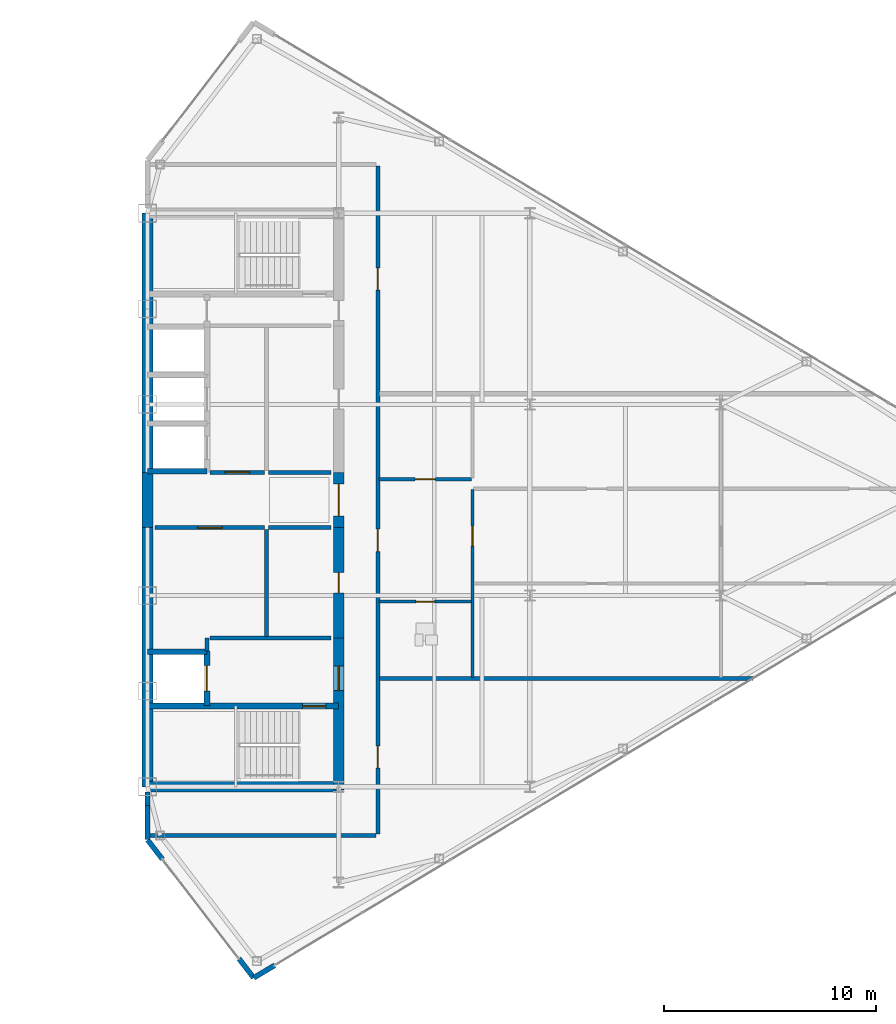
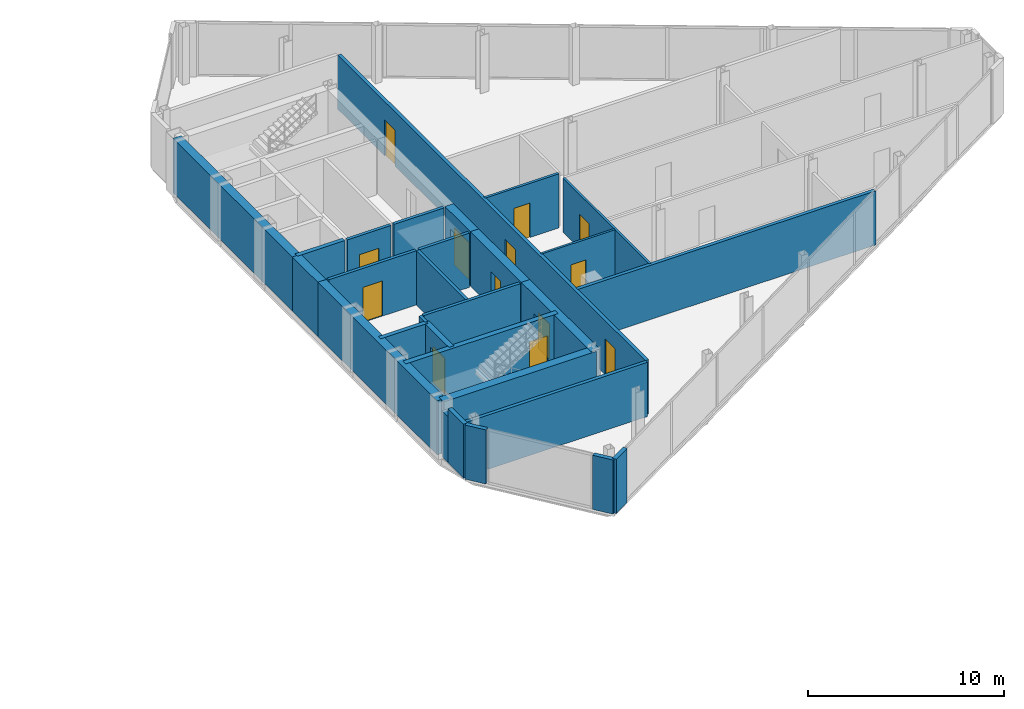
# One storey, part 21 of 25: 29 walls, 13 doors, 13 openings.
"""IFC4 building model written with IfcOpenShell, lengths in metres."""

from ifc_helpers import new_model, si_unit, direction, frame, frame_2d, origin, place, context, subcontext, project, spatial, rectangle, extrude, source, transform, mapped, material, layer, layer_set, type_object, type_shapes, element, fill, save


model = new_model("IFC4")

# Units and contexts
model_context = context("Model", 3, precision=1e-05, world=origin(), true_north=direction((0.0, 1.0)))
body_context = subcontext(model_context, "Body", "Model", "MODEL_VIEW")
ifc_project = project(units=[si_unit("LENGTHUNIT", "METRE"), si_unit("AREAUNIT", "SQUARE_METRE"), si_unit("VOLUMEUNIT", "CUBIC_METRE"), si_unit("PLANEANGLEUNIT", "RADIAN"), si_unit("MASSUNIT", "GRAM", prefix="KILO")], contexts=[model_context])

# Site, building, storey
site_placement = place(None, origin())
site = spatial("IfcSite", under=ifc_project, at=site_placement, CompositionType="ELEMENT")
building_placement = place(site_placement, origin())
building = spatial("IfcBuilding", under=site, at=building_placement, Name="Seokmaru Belvedere", CompositionType="ELEMENT")
storey_placement = place(building_placement, frame((0.0, 0.0, 217.5)))
storey = spatial("IfcBuildingStorey", under=building, at=storey_placement, Name="L58", CompositionType="ELEMENT", Elevation=217.5)

# Wall, opening, door
ifc_material_1 = material(Name="Fire-Rated Gypsum Shaftwall")
ifc_layer_1 = layer(ifc_material_1, 0.14990234375)
ifc_layer_set_1 = layer_set([ifc_layer_1], Name="Fire-Rated Gypsum Shaftwall")
wall_type_1 = type_object("IfcWallType", Name="Apartment Fire-Acoustic Room Partition 150", PredefinedType="PARTITIONING", material=ifc_layer_set_1)
wall_1_placement = place(storey_placement, frame((38.39990234375, 0.97998046875, 0.0), z_axis=(0.0, 0.0, 1.0), x_axis=(1.0, 0.0, 0.0)))
wall_1 = element("IfcWall", 1, at=wall_1_placement, inside=storey, type_object=wall_type_1, Name="L58 Interior Partition 010", PredefinedType="PARTITIONING", context=body_context, shape_type="SweptSolid", body=[
    extrude(rectangle(XDim=4.35009765625, YDim=0.14990234375, at=frame_2d((2.175048828125, 0.0))), origin(), (0.0, 0.0, 1.0), 3.3798828125),
])
opening_1_placement = place(wall_1_placement, frame((1.699951171875, 0.0, 0.0)))
opening_1 = element("IfcOpeningElement", 2, at=opening_1_placement, cuts=wall_1, Name="Opening D05", PredefinedType="OPENING", context=body_context, shape_type="SweptSolid", body=[
    extrude(rectangle(XDim=0.949951171875, YDim=2.14990234375, at=frame_2d((0.47509765625, 1.074951171875))), frame((0.0, 0.0849609375, 0.0), z_axis=(0.0, -1.0, 0.0), x_axis=(1.0, 0.0, 0.0)), (0.0, 0.0, 1.0), 0.169921875),
])
ifc_material_2 = material(Name="Engineered White Oak Timber", Category="wood")
door_type_1 = type_object("IfcDoorType", Name="Apartment Interior Fire-Rated Oak Door 950x2150", OperationType="NOTDEFINED", PredefinedType="DOOR", material=ifc_material_2)
shared_shape_1 = source(origin(), body_context, "Body", "SweptSolid", [
    extrude(rectangle(XDim=0.949951171875, YDim=2.14990234375, at=frame_2d((0.47509765625, 1.074951171875))), frame((0.0, 0.02490234375, 0.0), z_axis=(0.0, -1.0, 0.0), x_axis=(1.0, 0.0, 0.0)), (0.0, 0.0, 1.0), 0.050048828125),
])
type_shapes(door_type_1, [shared_shape_1])
door_1_placement = place(opening_1_placement, origin())
door_1 = element("IfcDoor", 3, at=door_1_placement, inside=storey, type_object=door_type_1, Name="L58 Interior Door 020", OperationType="SINGLE_SWING_RIGHT", OverallHeight=2.14990234375, OverallWidth=0.949951171875, PredefinedType="DOOR", context=body_context, shape_type="MappedRepresentation", body=[
    mapped(shared_shape_1, transform((0.0, 0.0, 0.0), scale=1.0)),
])
fill(opening_1, door_1)

# Walls
ifc_layer_2 = layer(ifc_material_1, 0.179931640625)
ifc_layer_set_2 = layer_set([ifc_layer_2], Name="Fire-Rated Gypsum Shaftwall")
wall_type_2 = type_object("IfcWallType", Name="Core Service Fire Partition 180", PredefinedType="PARTITIONING", material=ifc_layer_set_2)
wall_2_placement = place(storey_placement, frame((30.449951171875, -6.5, 0.0), z_axis=(0.0, 0.0, 1.0), x_axis=(1.0, 0.0, 0.0)))
element("IfcWall", 4, at=wall_2_placement, inside=storey, type_object=wall_type_2, Name="L58 East Firefighting Lobby Partition", PredefinedType="PARTITIONING", context=body_context, shape_type="SweptSolid", body=[
    extrude(rectangle(XDim=5.699951171875, YDim=0.179931640625, at=frame_2d((2.85009765625, 0.0))), origin(), (0.0, 0.0, 1.0), 3.3798828125),
])
wall_3_placement = place(storey_placement, frame((30.300048828125, -7.1201171875, 0.0), z_axis=(0.0, 0.0, 1.0), x_axis=(0.0, 1.0, 0.0)))
element("IfcWall", 5, at=wall_3_placement, inside=storey, type_object=wall_type_2, Name="L58 East Firefighting Lobby East Closure Wall", PredefinedType="PARTITIONING", context=body_context, shape_type="SweptSolid", body=[
    extrude(rectangle(XDim=0.6201171875, YDim=0.179931640625, at=frame_2d((0.31005859375, 0.0))), origin(), (0.0, 0.0, 1.0), 3.3798828125),
])
wall_4_placement = place(storey_placement, frame((33.10009765625, -6.419921875, 0.0), z_axis=(0.0, 0.0, 1.0), x_axis=(0.0, 1.0, 0.0)))
element("IfcWall", 6, at=wall_4_placement, inside=storey, type_object=wall_type_2, Name="L58 East South Core Service Back Wall", PredefinedType="PARTITIONING", context=body_context, shape_type="SweptSolid", body=[
    extrude(rectangle(XDim=5.0400390625, YDim=0.179931640625, at=frame_2d((2.52001953125, 0.0))), origin(), (0.0, 0.0, 1.0), 3.3798828125),
])

# Wall, opening, door
wall_5_placement = place(storey_placement, frame((27.85009765625, -1.300048828125, 0.0), z_axis=(0.0, 0.0, 1.0), x_axis=(1.0, 0.0, 0.0)))
wall_5 = element("IfcWall", 7, at=wall_5_placement, inside=storey, type_object=wall_type_2, Name="L58 East South Lift Lobby Foyer Wall", PredefinedType="PARTITIONING", context=body_context, shape_type="SweptSolid", body=[
    extrude(rectangle(XDim=5.169921875, YDim=0.179931640625, at=frame_2d((2.5849609375, 0.0))), origin(), (0.0, 0.0, 1.0), 3.3798828125),
])
opening_2_placement = place(wall_5_placement, frame((2.010009765625, 0.0, 0.0)))
opening_2 = element("IfcOpeningElement", 8, at=opening_2_placement, cuts=wall_5, Name="Opening D02", PredefinedType="OPENING", context=body_context, shape_type="SweptSolid", body=[
    extrude(rectangle(XDim=1.14990234375, YDim=2.199951171875, at=frame_2d((0.574951171875, 1.10009765625))), frame((0.0, 0.10009765625, 0.0), z_axis=(0.0, -1.0, 0.0), x_axis=(1.0, 0.0, 0.0)), (0.0, 0.0, 1.0), 0.199951171875),
])
ifc_material_3 = material(Name="Fire-Rated Steel Leaf", Category="steel")
door_type_2 = type_object("IfcDoorType", Name="Lobby and Vestibule Fire Door 1150x2200", OperationType="NOTDEFINED", PredefinedType="DOOR", material=ifc_material_3)
shared_shape_2 = source(origin(), body_context, "Body", "SweptSolid", [
    extrude(rectangle(XDim=1.14990234375, YDim=2.199951171875, at=frame_2d((0.574951171875, 1.10009765625))), frame((0.0, 0.02490234375, 0.0), z_axis=(0.0, -1.0, 0.0), x_axis=(1.0, 0.0, 0.0)), (0.0, 0.0, 1.0), 0.050048828125),
])
type_shapes(door_type_2, [shared_shape_2])
door_2_placement = place(opening_2_placement, origin())
door_2 = element("IfcDoor", 9, at=door_2_placement, inside=storey, type_object=door_type_2, Name="L58 East South Core Foyer Door", OperationType="SINGLE_SWING_RIGHT", OverallHeight=2.199951171875, OverallWidth=1.14990234375, PredefinedType="DOOR", context=body_context, shape_type="MappedRepresentation", body=[
    mapped(shared_shape_2, transform((0.0, 0.0, 0.0), scale=1.0)),
])
fill(opening_2, door_2)

wall_6_placement = place(storey_placement, frame((30.449951171875, 1.300048828125, 0.0), z_axis=(0.0, 0.0, 1.0), x_axis=(1.0, 0.0, 0.0)))
wall_6 = element("IfcWall", 10, at=wall_6_placement, inside=storey, type_object=wall_type_2, Name="L58 East North Lift Lobby Foyer Wall", PredefinedType="PARTITIONING", context=body_context, shape_type="SweptSolid", body=[
    extrude(rectangle(XDim=2.570068359375, YDim=0.179931640625, at=frame_2d((1.28515625, 0.0))), origin(), (0.0, 0.0, 1.0), 3.3798828125),
])
opening_3_placement = place(wall_6_placement, frame((0.7099609375, 0.0, 0.0)))
opening_3 = element("IfcOpeningElement", 11, at=opening_3_placement, cuts=wall_6, Name="Opening D02", PredefinedType="OPENING", context=body_context, shape_type="SweptSolid", body=[
    extrude(rectangle(XDim=1.14990234375, YDim=2.199951171875, at=frame_2d((0.574951171875, 1.10009765625))), frame((0.0, 0.10009765625, 0.0), z_axis=(0.0, -1.0, 0.0), x_axis=(1.0, 0.0, 0.0)), (0.0, 0.0, 1.0), 0.199951171875),
])
door_3_placement = place(opening_3_placement, origin())
door_3 = element("IfcDoor", 12, at=door_3_placement, inside=storey, type_object=door_type_2, Name="L58 East North Lift Lobby Door", OperationType="SINGLE_SWING_LEFT", OverallHeight=2.199951171875, OverallWidth=1.14990234375, PredefinedType="DOOR", context=body_context, shape_type="MappedRepresentation", body=[
    mapped(shared_shape_2, transform((0.0, 0.0, 0.0), scale=1.0)),
])
fill(opening_3, door_3)

# Walls
for number, where, z_axis, x_axis, name in (
    (13, (33.199951171875, -1.300048828125, 0.0), (0.0, 0.0, 1.0), (1.0, 0.0, 0.0), "L58 East Foyer Side Wall S"),
    (14, (33.199951171875, 1.300048828125, 0.0), (0.0, 0.0, 1.0), (1.0, 0.0, 0.0), "L58 East Foyer Side Wall N"),
):
    element("IfcWall", number, at=place(storey_placement, frame(where, z_axis=z_axis, x_axis=x_axis)), inside=storey, type_object=wall_type_2, Name=name, PredefinedType="PARTITIONING", context=body_context, shape_type="SweptSolid", body=[
        extrude(rectangle(XDim=2.949951171875, YDim=0.179931640625, at=frame_2d((1.47509765625, 0.0))), origin(), (0.0, 0.0, 1.0), 3.3798828125),
    ])
ifc_material_4 = material(Name="Concrete C50 (50 MPa)", Category="concrete")
ifc_layer_3 = layer(ifc_material_4, 0.25)
ifc_layer_set_3 = layer_set([ifc_layer_3], Name="Concrete C50 (50 MPa)")
wall_type_3 = type_object("IfcWallType", Name="Hoistway Transverse Concrete Divider Wall 250", PredefinedType="SHEAR", material=ifc_layer_set_3)
for number, where, z_axis, x_axis, name in (
    (15, (27.5, -7.14990234375, 0.0), (0.0, 0.0, 1.0), (1.0, 0.0, 0.0), "L58 East Hoistway Divider Core Wall 1"),
    (16, (27.5, 1.35009765625, 0.0), (0.0, 0.0, 1.0), (1.0, 0.0, 0.0), "L58 East Hoistway Divider Core Wall 2"),
):
    element("IfcWall", number, at=place(storey_placement, frame(where, z_axis=z_axis, x_axis=x_axis)), inside=storey, type_object=wall_type_3, Name=name, PredefinedType="SHEAR", context=body_context, shape_type="SweptSolid", body=[
        extrude(rectangle(XDim=2.800048828125, YDim=0.25, at=frame_2d((1.39990234375, 0.0))), origin(), (0.0, 0.0, 1.0), 3.3798828125),
    ])
ifc_layer_4 = layer(ifc_material_1, 0.199951171875)
ifc_layer_set_4 = layer_set([ifc_layer_4], Name="Fire-Rated Gypsum Shaftwall")
wall_type_4 = type_object("IfcWallType", Name="Inter-Tenancy Fire Compartment Partition 200", PredefinedType="PARTITIONING", material=ifc_layer_set_4)
wall_7_placement = place(storey_placement, frame((27.625, -15.800048828125, 0.0), z_axis=(0.0, 0.0, 1.0), x_axis=(1.0, 0.0, 0.0)))
element("IfcWall", 17, at=wall_7_placement, inside=storey, type_object=wall_type_4, Name="L58 Interior Partition 002", PredefinedType="PARTITIONING", context=body_context, shape_type="SweptSolid", body=[
    extrude(rectangle(XDim=10.639892578125, YDim=0.199951171875, at=frame_2d((5.31982421875, 0.0))), origin(), (0.0, 0.0, 1.0), 3.3798828125),
])
wall_8_placement = place(storey_placement, frame((38.429931640625, -8.39990234375, 0.0), z_axis=(0.0, 0.0, 1.0), x_axis=(1.0, 0.0, 0.0)))
element("IfcWall", 18, at=wall_8_placement, inside=storey, type_object=wall_type_4, Name="L58 Interior Partition 003", PredefinedType="PARTITIONING", context=body_context, shape_type="SweptSolid", body=[
    extrude(rectangle(XDim=17.580078125, YDim=0.199951171875, at=frame_2d((8.7900390625, 0.0))), origin(), (0.0, 0.0, 1.0), 3.3798828125),
])

# Wall, openings, doors
wall_9_placement = place(storey_placement, frame((38.35009765625, -15.715087890625, 0.0), z_axis=(0.0, 0.0, 1.0), x_axis=(0.0, 1.0, 0.0)))
wall_9 = element("IfcWall", 19, at=wall_9_placement, inside=storey, type_object=wall_type_4, Name="L58 Interior Partition 027", PredefinedType="PARTITIONING", context=body_context, shape_type="SweptSolid", body=[
    extrude(rectangle(XDim=31.43017578125, YDim=0.199951171875, at=frame_2d((15.715087890625, 0.0))), origin(), (0.0, 0.0, 1.0), 3.3798828125),
])
opening_4_placement = place(wall_9_placement, frame((3.090087890625, 0.0, 0.0)))
opening_4 = element("IfcOpeningElement", 20, at=opening_4_placement, cuts=wall_9, Name="Opening D03", PredefinedType="OPENING", context=body_context, shape_type="SweptSolid", body=[
    extrude(rectangle(XDim=1.050048828125, YDim=2.25, at=frame_2d((0.52490234375, 1.125))), frame((0.0, 0.10986328125, 0.0), z_axis=(0.0, -1.0, 0.0), x_axis=(1.0, 0.0, 0.0)), (0.0, 0.0, 1.0), 0.219970703125),
])
opening_5_placement = place(wall_9_placement, frame((13.2890625, 0.0, 0.0)))
opening_5 = element("IfcOpeningElement", 21, at=opening_5_placement, cuts=wall_9, Name="Opening D03", PredefinedType="OPENING", context=body_context, shape_type="SweptSolid", body=[
    extrude(rectangle(XDim=1.050048828125, YDim=2.25, at=frame_2d((0.52490234375, 1.125))), frame((0.0, 0.10986328125, 0.0), z_axis=(0.0, -1.0, 0.0), x_axis=(1.0, 0.0, 0.0)), (0.0, 0.0, 1.0), 0.219970703125),
])
opening_6_placement = place(wall_9_placement, frame((25.590087890625, 0.0, 0.0)))
opening_6 = element("IfcOpeningElement", 22, at=opening_6_placement, cuts=wall_9, Name="Opening D03", PredefinedType="OPENING", context=body_context, shape_type="SweptSolid", body=[
    extrude(rectangle(XDim=1.050048828125, YDim=2.25, at=frame_2d((0.52490234375, 1.125))), frame((0.0, 0.10986328125, 0.0), z_axis=(0.0, -1.0, 0.0), x_axis=(1.0, 0.0, 0.0)), (0.0, 0.0, 1.0), 0.219970703125),
])
door_type_3 = type_object("IfcDoorType", Name="Apartment Entrance Fire Door 1050x2250", OperationType="NOTDEFINED", PredefinedType="DOOR", material=ifc_material_3)
shared_shape_3 = source(origin(), body_context, "Body", "SweptSolid", [
    extrude(rectangle(XDim=1.050048828125, YDim=2.25, at=frame_2d((0.52490234375, 1.125))), frame((0.0, 0.02490234375, 0.0), z_axis=(0.0, -1.0, 0.0), x_axis=(1.0, 0.0, 0.0)), (0.0, 0.0, 1.0), 0.050048828125),
])
type_shapes(door_type_3, [shared_shape_3])
door_4_placement = place(opening_4_placement, origin())
door_4 = element("IfcDoor", 23, at=door_4_placement, inside=storey, type_object=door_type_3, Name="L58 Interior Door 017", OperationType="SINGLE_SWING_LEFT", OverallHeight=2.25, OverallWidth=1.050048828125, PredefinedType="DOOR", context=body_context, shape_type="MappedRepresentation", body=[
    mapped(shared_shape_3, transform((0.0, 0.0, 0.0), scale=1.0)),
])
fill(opening_4, door_4)
door_5_placement = place(opening_5_placement, origin())
door_5 = element("IfcDoor", 24, at=door_5_placement, inside=storey, type_object=door_type_3, Name="L58 Interior Door 018", OperationType="SINGLE_SWING_RIGHT", OverallHeight=2.25, OverallWidth=1.050048828125, PredefinedType="DOOR", context=body_context, shape_type="MappedRepresentation", body=[
    mapped(shared_shape_3, transform((0.0, 0.0, 0.0), scale=1.0)),
])
fill(opening_5, door_5)
door_6_placement = place(opening_6_placement, origin())
door_6 = element("IfcDoor", 25, at=door_6_placement, inside=storey, type_object=door_type_3, Name="L58 Interior Door 027", OperationType="SINGLE_SWING_LEFT", OverallHeight=2.25, OverallWidth=1.050048828125, PredefinedType="DOOR", context=body_context, shape_type="MappedRepresentation", body=[
    mapped(shared_shape_3, transform((0.0, 0.0, 0.0), scale=1.0)),
])
fill(opening_6, door_6)

# Wall, opening, door
ifc_layer_5 = layer(ifc_material_4, 0.300048828125)
ifc_layer_set_5 = layer_set([ifc_layer_5], Name="Concrete C50 (50 MPa)")
wall_type_5 = type_object("IfcWallType", Name="Internal Core Stair and Hoistway Wall 300", PredefinedType="SHEAR", material=ifc_layer_set_5)
wall_10_placement = place(storey_placement, frame((27.5, -9.699951171875, 0.0), z_axis=(0.0, 0.0, 1.0), x_axis=(1.0, 0.0, 0.0)))
wall_10 = element("IfcWall", 26, at=wall_10_placement, inside=storey, type_object=wall_type_5, Name="L58 East Stair ST-1 Enclosure Wall", PredefinedType="SHEAR", context=body_context, shape_type="SweptSolid", body=[
    extrude(rectangle(XDim=9.0, YDim=0.300048828125, at=frame_2d((4.5, 0.0))), origin(), (0.0, 0.0, 1.0), 3.3798828125),
])
opening_7_placement = place(wall_10_placement, frame((7.300048828125, 0.0, 0.0)))
opening_7 = element("IfcOpeningElement", 27, at=opening_7_placement, cuts=wall_10, Name="Opening D01", PredefinedType="OPENING", context=body_context, shape_type="SweptSolid", body=[
    extrude(rectangle(XDim=1.10009765625, YDim=2.199951171875, at=frame_2d((0.550048828125, 1.10009765625))), frame((0.0, 0.16015625, 0.0), z_axis=(0.0, -1.0, 0.0), x_axis=(1.0, 0.0, 0.0)), (0.0, 0.0, 1.0), 0.320068359375),
])
door_type_4 = type_object("IfcDoorType", Name="Special Escape Stair Smokeproof Fire Door 1100x2200", OperationType="NOTDEFINED", PredefinedType="DOOR", material=ifc_material_3)
shared_shape_4 = source(origin(), body_context, "Body", "SweptSolid", [
    extrude(rectangle(XDim=1.10009765625, YDim=2.199951171875, at=frame_2d((0.550048828125, 1.10009765625))), frame((0.0, 0.02490234375, 0.0), z_axis=(0.0, -1.0, 0.0), x_axis=(1.0, 0.0, 0.0)), (0.0, 0.0, 1.0), 0.050048828125),
])
type_shapes(door_type_4, [shared_shape_4])
door_7_placement = place(opening_7_placement, frame((1.10009765625, 0.0, 0.0), z_axis=(0.0, 0.0, 1.0), x_axis=(-1.0, 0.0, 0.0)))
door_7 = element("IfcDoor", 28, at=door_7_placement, inside=storey, type_object=door_type_4, Name="L58 East Special Escape Stair ST-1 Door", OperationType="SINGLE_SWING_RIGHT", OverallHeight=2.199951171875, OverallWidth=1.10009765625, PredefinedType="DOOR", context=body_context, shape_type="MappedRepresentation", body=[
    mapped(shared_shape_4, transform((0.0, 0.0, 0.0), scale=1.0)),
])
fill(opening_7, door_7)

wall_11_placement = place(storey_placement, frame((30.300048828125, -9.679931640625, 0.0), z_axis=(0.0, 0.0, 1.0), x_axis=(0.0, 1.0, 0.0)))
wall_11 = element("IfcWall", 29, at=wall_11_placement, inside=storey, type_object=wall_type_5, Name="L58 East Firefighting Lift Shaft Front Wall", PredefinedType="SHEAR", context=body_context, shape_type="SweptSolid", body=[
    extrude(rectangle(XDim=2.559814453125, YDim=0.300048828125, at=frame_2d((1.27978515625, 0.0))), origin(), (0.0, 0.0, 1.0), 3.3798828125),
])
opening_8_placement = place(wall_11_placement, frame((0.679931640625, 0.0, 0.0)))
opening_8 = element("IfcOpeningElement", 30, at=opening_8_placement, cuts=wall_11, Name="Opening LD2", PredefinedType="OPENING", context=body_context, shape_type="SweptSolid", body=[
    extrude(rectangle(XDim=1.199951171875, YDim=2.25, at=frame_2d((0.60009765625, 1.125))), frame((0.0, 0.16015625, 0.0), z_axis=(0.0, -1.0, 0.0), x_axis=(1.0, 0.0, 0.0)), (0.0, 0.0, 1.0), 0.320068359375),
])
ifc_material_5 = material(Name="Stainless Steel 316", Category="steel")
door_type_5 = type_object("IfcDoorType", Name="Firefighting Lift Sliding Landing Door 1200x2250", OperationType="DOUBLE_DOOR_SLIDING", PredefinedType="DOOR", material=ifc_material_5)
shared_shape_5 = source(origin(), body_context, "Body", "SweptSolid", [
    extrude(rectangle(XDim=1.199951171875, YDim=2.25, at=frame_2d((0.60009765625, 1.125))), frame((0.0, 0.02490234375, 0.0), z_axis=(0.0, -1.0, 0.0), x_axis=(1.0, 0.0, 0.0)), (0.0, 0.0, 1.0), 0.050048828125),
])
type_shapes(door_type_5, [shared_shape_5])
door_8_placement = place(opening_8_placement, origin())
door_8 = element("IfcDoor", 31, at=door_8_placement, inside=storey, type_object=door_type_5, Name="L58 East Firefighting Lift Landing Door", OperationType="DOUBLE_DOOR_SLIDING", OverallHeight=2.25, OverallWidth=1.199951171875, PredefinedType="DOOR", context=body_context, shape_type="MappedRepresentation", body=[
    mapped(shared_shape_5, transform((0.0, 0.0, 0.0), scale=1.0)),
])
fill(opening_8, door_8)

ifc_layer_6 = layer(ifc_material_1, 0.1298828125)
ifc_layer_set_6 = layer_set([ifc_layer_6], Name="Fire-Rated Gypsum Shaftwall")
wall_type_6 = type_object("IfcWallType", Name="Moisture-Resistant Fire-Rated Bathroom Partition 130", PredefinedType="PARTITIONING", material=ifc_layer_set_6)
wall_12_placement = place(storey_placement, frame((38.39990234375, -4.780029296875, 0.0), z_axis=(0.0, 0.0, 1.0), x_axis=(1.0, 0.0, 0.0)))
wall_12 = element("IfcWall", 32, at=wall_12_placement, inside=storey, type_object=wall_type_6, Name="L58 Interior Partition 005", PredefinedType="PARTITIONING", context=body_context, shape_type="SweptSolid", body=[
    extrude(rectangle(XDim=4.35009765625, YDim=0.1298828125, at=frame_2d((2.175048828125, 0.0))), origin(), (0.0, 0.0, 1.0), 3.3798828125),
])
opening_9_placement = place(wall_12_placement, frame((1.735107421875, 0.0, 0.0)))
opening_9 = element("IfcOpeningElement", 33, at=opening_9_placement, cuts=wall_12, Name="Opening D06", PredefinedType="OPENING", context=body_context, shape_type="SweptSolid", body=[
    extrude(rectangle(XDim=0.8798828125, YDim=2.10009765625, at=frame_2d((0.43994140625, 1.050048828125))), frame((0.0, 0.074951171875, 0.0), z_axis=(0.0, -1.0, 0.0), x_axis=(1.0, 0.0, 0.0)), (0.0, 0.0, 1.0), 0.14990234375),
])
door_type_6 = type_object("IfcDoorType", Name="Bathroom and Restroom Fire-Rated Door 880x2100", OperationType="NOTDEFINED", PredefinedType="DOOR", material=ifc_material_2)
shared_shape_6 = source(origin(), body_context, "Body", "SweptSolid", [
    extrude(rectangle(XDim=0.8798828125, YDim=2.10009765625, at=frame_2d((0.43994140625, 1.050048828125))), frame((0.0, 0.02490234375, 0.0), z_axis=(0.0, -1.0, 0.0), x_axis=(1.0, 0.0, 0.0)), (0.0, 0.0, 1.0), 0.050048828125),
])
type_shapes(door_type_6, [shared_shape_6])
door_9_placement = place(opening_9_placement, origin())
door_9 = element("IfcDoor", 34, at=door_9_placement, inside=storey, type_object=door_type_6, Name="L58 Interior Door 019", OperationType="SINGLE_SWING_RIGHT", OverallHeight=2.10009765625, OverallWidth=0.8798828125, PredefinedType="DOOR", context=body_context, shape_type="MappedRepresentation", body=[
    mapped(shared_shape_6, transform((0.0, 0.0, 0.0), scale=1.0)),
])
fill(opening_9, door_9)

wall_13_placement = place(storey_placement, frame((42.800048828125, -8.35009765625, 0.0), z_axis=(0.0, 0.0, 1.0), x_axis=(0.0, 1.0, 0.0)))
wall_13 = element("IfcWall", 35, at=wall_13_placement, inside=storey, type_object=wall_type_6, Name="L58 Interior Partition 028", PredefinedType="PARTITIONING", context=body_context, shape_type="SweptSolid", body=[
    extrude(rectangle(XDim=8.8330078125, YDim=0.1298828125, at=frame_2d((4.41650390625, 0.0))), origin(), (0.0, 0.0, 1.0), 3.3798828125),
])
opening_10_placement = place(wall_13_placement, frame((6.175048828125, 0.0, 0.0)))
opening_10 = element("IfcOpeningElement", 36, at=opening_10_placement, cuts=wall_13, Name="Opening D05", PredefinedType="OPENING", context=body_context, shape_type="SweptSolid", body=[
    extrude(rectangle(XDim=0.949951171875, YDim=2.14990234375, at=frame_2d((0.47509765625, 1.074951171875))), frame((0.0, 0.074951171875, 0.0), z_axis=(0.0, -1.0, 0.0), x_axis=(1.0, 0.0, 0.0)), (0.0, 0.0, 1.0), 0.14990234375),
])
door_10_placement = place(opening_10_placement, origin())
door_10 = element("IfcDoor", 37, at=door_10_placement, inside=storey, type_object=door_type_1, Name="L58 Interior Door 021", OperationType="SINGLE_SWING_LEFT", OverallHeight=2.14990234375, OverallWidth=0.949951171875, PredefinedType="DOOR", context=body_context, shape_type="MappedRepresentation", body=[
    mapped(shared_shape_1, transform((0.0, 0.0, 0.0), scale=1.0)),
])
fill(opening_10, door_10)

# Walls
ifc_material_6 = material(Name="Anodised Bronze Aluminium", Category="aluminium")
ifc_layer_7 = layer(ifc_material_6, 0.239990234375)
ifc_layer_set_7 = layer_set([ifc_layer_7], Name="Anodised Bronze Aluminium")
wall_type_7 = type_object("IfcWallType", Name="Tower Corner Spandrel Closure Wall 240", PredefinedType="SOLIDWALL", material=ifc_layer_set_7)
wall_14_placement = place(storey_placement, frame((32.508544921875, -22.494873046875, 0.0), z_axis=(0.0, 0.0, 1.0), x_axis=(0.85743623509, 0.514590228002, 0.0)))
element("IfcWall", 38, at=wall_14_placement, inside=storey, type_object=wall_type_7, Name="L58 E Corner Closure Pier 1A", PredefinedType="SOLIDWALL", context=body_context, shape_type="SweptSolid", body=[
    extrude(rectangle(XDim=1.14013671875, YDim=0.239990234375, at=frame_2d((0.570068359375, 0.0))), origin(), (0.0, 0.0, 1.0), 3.3798828125),
])
wall_15_placement = place(storey_placement, frame((27.5, -15.97998046875, 0.0), z_axis=(0.0, 0.0, 1.0), x_axis=(0.0, 1.0, 0.0)))
element("IfcWall", 39, at=wall_15_placement, inside=storey, type_object=wall_type_7, Name="L58 E Shoulder Closure Wall 1", PredefinedType="SOLIDWALL", context=body_context, shape_type="SweptSolid", body=[
    extrude(rectangle(XDim=1.605224609375, YDim=0.239990234375, at=frame_2d((0.802734375, 0.0))), origin(), (0.0, 0.0, 1.0), 3.3798828125),
])
wall_16_placement = place(storey_placement, frame((27.5, -14.374755859375, 0.0), z_axis=(0.0, 0.0, 1.0), x_axis=(0.0, 1.0, 0.0)))
element("IfcWall", 40, at=wall_16_placement, inside=storey, type_object=wall_type_7, Name="L58 E Shoulder Closure Wall 1 Part 2", PredefinedType="SOLIDWALL", context=body_context, shape_type="SweptSolid", body=[
    extrude(rectangle(XDim=0.619873046875, YDim=0.239990234375, at=frame_2d((0.31005859375, 0.0))), origin(), (0.0, 0.0, 1.0), 2.8798828125),
])
for number, where, z_axis, x_axis, name in (
    (41, (27.506103515625, -16.0078125, 0.0), (0.0, 0.0, 1.0), (0.609617623633, -0.792695624408, 0.0), "L58 E Corner Closure Pier 6A"),
    (42, (31.798828125, -21.58837890625, 0.0), (0.0, 0.0, 1.0), (0.609617623633, -0.792695624408, 0.0), "L58 E Corner Closure Pier 6B"),
):
    element("IfcWall", number, at=place(storey_placement, frame(where, z_axis=z_axis, x_axis=x_axis)), inside=storey, type_object=wall_type_7, Name=name, PredefinedType="SOLIDWALL", context=body_context, shape_type="SweptSolid", body=[
        extrude(rectangle(XDim=1.14013671875, YDim=0.239990234375, at=frame_2d((0.570068359375, 0.0))), origin(), (0.0, 0.0, 1.0), 3.3798828125),
    ])
ifc_layer_8 = layer(ifc_material_4, 0.5)
ifc_layer_set_8 = layer_set([ifc_layer_8], Name="Concrete C50 (50 MPa)")
wall_type_8 = type_object("IfcWallType", Name="Upper Tower Reinforced Concrete Core Wall 500", PredefinedType="SHEAR", material=ifc_layer_set_8)
for number, where, z_axis, x_axis, name in (
    (43, (27.5, -13.5, 0.0), (0.0, 0.0, 1.0), (0.0, 1.0, 0.0), "L58 East Portal Spine Core Wall South"),
    (44, (27.5, 1.300048828125, 0.0), (0.0, 0.0, 1.0), (0.0, 1.0, 0.0), "L58 East Portal Spine Core Wall North"),
):
    element("IfcWall", number, at=place(storey_placement, frame(where, z_axis=z_axis, x_axis=x_axis)), inside=storey, type_object=wall_type_8, Name=name, PredefinedType="SHEAR", context=body_context, shape_type="SweptSolid", body=[
        extrude(rectangle(XDim=12.199951171875, YDim=0.5, at=frame_2d((6.10009765625, 0.0))), origin(), (0.0, 0.0, 1.0), 3.3798828125),
    ])
wall_17_placement = place(storey_placement, frame((27.5, -1.300048828125, 0.0), z_axis=(0.0, 0.0, 1.0), x_axis=(0.0, 1.0, 0.0)))
element("IfcWall", 45, at=wall_17_placement, inside=storey, type_object=wall_type_8, Name="L58 East Portal Spine Core Wall Center", PredefinedType="SHEAR", context=body_context, shape_type="SweptSolid", body=[
    extrude(rectangle(XDim=2.60009765625, YDim=0.5, at=frame_2d((1.300048828125, 0.0))), origin(), (0.0, 0.0, 1.0), 3.3798828125),
])
wall_18_placement = place(storey_placement, frame((27.5, -13.5, 0.0), z_axis=(0.0, 0.0, 1.0), x_axis=(1.0, 0.0, 0.0)))
element("IfcWall", 46, at=wall_18_placement, inside=storey, type_object=wall_type_8, Name="L58 East South Core Wall", PredefinedType="SHEAR", context=body_context, shape_type="SweptSolid", body=[
    extrude(rectangle(XDim=9.0, YDim=0.5, at=frame_2d((4.5, 0.0))), origin(), (0.0, 0.0, 1.0), 3.3798828125),
])

# Wall, opening, door
wall_19_placement = place(storey_placement, frame((36.5, -13.64990234375, 0.0), z_axis=(0.0, 0.0, 1.0), x_axis=(0.0, 1.0, 0.0)))
wall_19 = element("IfcWall", 47, at=wall_19_placement, inside=storey, type_object=wall_type_8, Name="L58 East West Core Wall FF", PredefinedType="SHEAR", context=body_context, shape_type="SweptSolid", body=[
    extrude(rectangle(XDim=7.14990234375, YDim=0.5, at=frame_2d((3.574951171875, 0.0))), origin(), (0.0, 0.0, 1.0), 3.3798828125),
])
opening_11_placement = place(wall_19_placement, frame((4.675048828125, 0.0, 0.0)))
opening_11 = element("IfcOpeningElement", 48, at=opening_11_placement, cuts=wall_19, Name="Opening D02", PredefinedType="OPENING", context=body_context, shape_type="SweptSolid", body=[
    extrude(rectangle(XDim=1.14990234375, YDim=2.199951171875, at=frame_2d((0.574951171875, 1.10009765625))), frame((0.0, 0.260009765625, 0.0), z_axis=(0.0, -1.0, 0.0), x_axis=(1.0, 0.0, 0.0)), (0.0, 0.0, 1.0), 0.52001953125),
])
door_11_placement = place(opening_11_placement, origin())
door_11 = element("IfcDoor", 49, at=door_11_placement, inside=storey, type_object=door_type_2, Name="L58 East Firefighting Lobby Door", OperationType="SINGLE_SWING_RIGHT", OverallHeight=2.199951171875, OverallWidth=1.14990234375, PredefinedType="DOOR", context=body_context, shape_type="MappedRepresentation", body=[
    mapped(shared_shape_2, transform((0.0, 0.0, 0.0), scale=1.0)),
])
fill(opening_11, door_11)

wall_20_placement = place(storey_placement, frame((36.5, -1.300048828125, 0.0), z_axis=(0.0, 0.0, 1.0), x_axis=(0.0, 1.0, 0.0)))
wall_20 = element("IfcWall", 50, at=wall_20_placement, inside=storey, type_object=wall_type_8, Name="L58 East West Core Wall FOY", PredefinedType="SHEAR", context=body_context, shape_type="SweptSolid", body=[
    extrude(rectangle(XDim=2.60009765625, YDim=0.5, at=frame_2d((1.300048828125, 0.0))), origin(), (0.0, 0.0, 1.0), 3.3798828125),
])
opening_12_placement = place(wall_20_placement, frame((0.550048828125, 0.0, 0.0)))
opening_12 = element("IfcOpeningElement", 51, at=opening_12_placement, cuts=wall_20, Name="Opening D08", PredefinedType="OPENING", context=body_context, shape_type="SweptSolid", body=[
    extrude(rectangle(XDim=1.5, YDim=2.300048828125, at=frame_2d((0.75, 1.14990234375))), frame((0.0, 0.260009765625, 0.0), z_axis=(0.0, -1.0, 0.0), x_axis=(1.0, 0.0, 0.0)), (0.0, 0.0, 1.0), 0.52001953125),
])
door_type_7 = type_object("IfcDoorType", Name="Cross-Corridor Compartment Double Fire Door 1500x2300", OperationType="DOUBLE_SWING_LEFT", PredefinedType="DOOR", material=ifc_material_3)
shared_shape_7 = source(origin(), body_context, "Body", "SweptSolid", [
    extrude(rectangle(XDim=1.5, YDim=2.300048828125, at=frame_2d((0.75, 1.14990234375))), frame((0.0, 0.02490234375, 0.0), z_axis=(0.0, -1.0, 0.0), x_axis=(1.0, 0.0, 0.0)), (0.0, 0.0, 1.0), 0.050048828125),
])
type_shapes(door_type_7, [shared_shape_7])
door_12_placement = place(opening_12_placement, origin())
door_12 = element("IfcDoor", 52, at=door_12_placement, inside=storey, type_object=door_type_7, Name="L58 East Core Foyer Compartment Door", OperationType="DOUBLE_SWING_LEFT", OverallHeight=2.300048828125, OverallWidth=1.5, PredefinedType="DOOR", context=body_context, shape_type="MappedRepresentation", body=[
    mapped(shared_shape_7, transform((0.0, 0.0, 0.0), scale=1.0)),
])
fill(opening_12, door_12)

wall_21_placement = place(storey_placement, frame((36.5, -6.5, 0.0), z_axis=(0.0, 0.0, 1.0), x_axis=(0.0, 1.0, 0.0)))
wall_21 = element("IfcWall", 53, at=wall_21_placement, inside=storey, type_object=wall_type_8, Name="L58 East West Core Wall CS1", PredefinedType="SHEAR", context=body_context, shape_type="SweptSolid", body=[
    extrude(rectangle(XDim=5.199951171875, YDim=0.5, at=frame_2d((2.60009765625, 0.0))), origin(), (0.0, 0.0, 1.0), 3.3798828125),
])
opening_13_placement = place(wall_21_placement, frame((2.125, 0.0, 0.0)))
opening_13 = element("IfcOpeningElement", 54, at=opening_13_placement, cuts=wall_21, Name="Opening D04", PredefinedType="OPENING", context=body_context, shape_type="SweptSolid", body=[
    extrude(rectangle(XDim=0.949951171875, YDim=2.14990234375, at=frame_2d((0.47509765625, 1.074951171875))), frame((0.0, 0.260009765625, 0.0), z_axis=(0.0, -1.0, 0.0), x_axis=(1.0, 0.0, 0.0)), (0.0, 0.0, 1.0), 0.52001953125),
])
door_type_8 = type_object("IfcDoorType", Name="Core Service Room Fire Door 950x2150", OperationType="NOTDEFINED", PredefinedType="DOOR", material=ifc_material_3)
shared_shape_8 = source(origin(), body_context, "Body", "SweptSolid", [
    extrude(rectangle(XDim=0.949951171875, YDim=2.14990234375, at=frame_2d((0.47509765625, 1.074951171875))), frame((0.0, 0.02490234375, 0.0), z_axis=(0.0, -1.0, 0.0), x_axis=(1.0, 0.0, 0.0)), (0.0, 0.0, 1.0), 0.050048828125),
])
type_shapes(door_type_8, [shared_shape_8])
door_13_placement = place(opening_13_placement, origin())
door_13 = element("IfcDoor", 55, at=door_13_placement, inside=storey, type_object=door_type_8, Name="L58 East Core Service Room Door 1", OperationType="SINGLE_SWING_RIGHT", OverallHeight=2.14990234375, OverallWidth=0.949951171875, PredefinedType="DOOR", context=body_context, shape_type="MappedRepresentation", body=[
    mapped(shared_shape_8, transform((0.0, 0.0, 0.0), scale=1.0)),
])
fill(opening_13, door_13)

save(model, "model.ifc")
